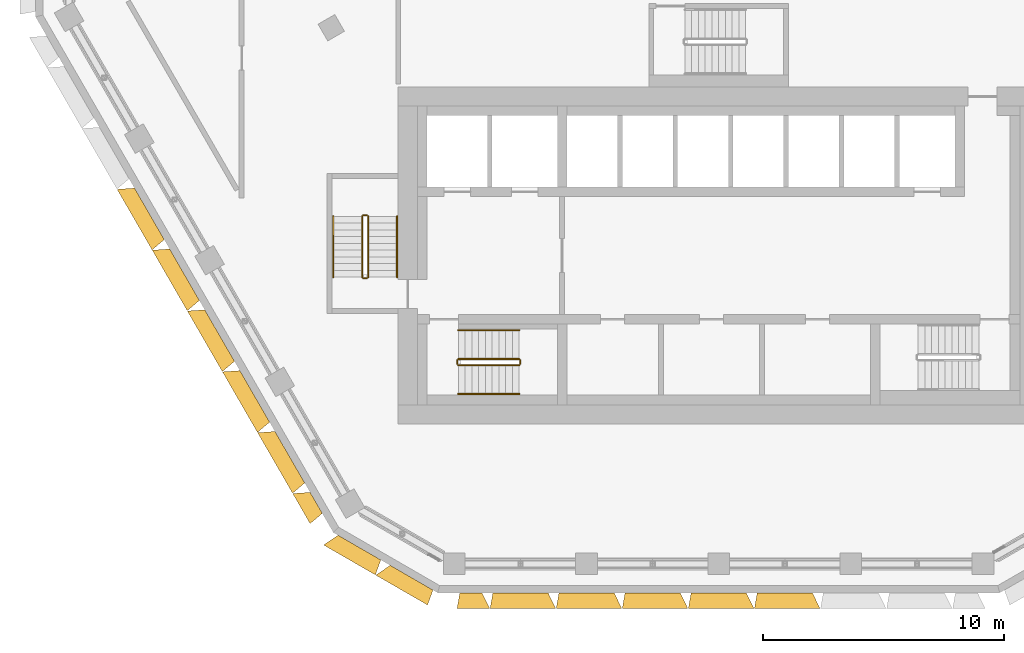
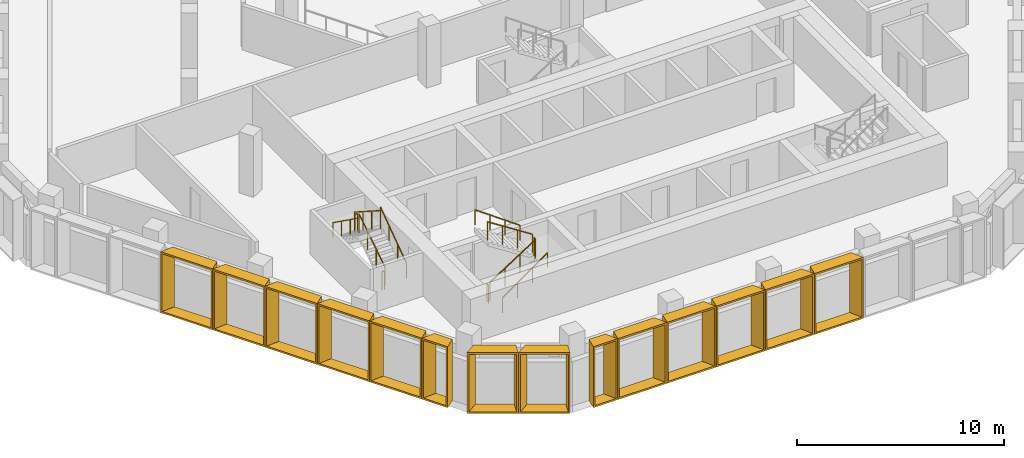
# One storey, part 19 of 22: 14 shading devices, 12 railings.
"""IFC4 building model written with IfcOpenShell, lengths in metres."""

from ifc_helpers import new_model, entity, si_unit, direction, frame, origin, origin_2d, place, context, subcontext, project, spatial, rectangle, extrude, source, transform, mapped, material, type_object, type_shapes, element, save


model = new_model("IFC4")

# Units and contexts
model_context = context("Model", 3, precision=1e-05, world=origin(), true_north=direction((0.0, 1.0)))
body_context = subcontext(model_context, "Body", "Model", "MODEL_VIEW")
ifc_project = project(units=[si_unit("LENGTHUNIT", "METRE"), si_unit("AREAUNIT", "SQUARE_METRE"), si_unit("VOLUMEUNIT", "CUBIC_METRE"), si_unit("PLANEANGLEUNIT", "RADIAN"), si_unit("MASSUNIT", "GRAM", prefix="KILO")], contexts=[model_context])

# Site, building, storey
site_placement = place(None, origin())
site = spatial("IfcSite", under=ifc_project, at=site_placement, CompositionType="ELEMENT")
building_placement = place(site_placement, origin())
building = spatial("IfcBuilding", under=site, at=building_placement, Name="Beryl Residences", CompositionType="ELEMENT")
storey_placement = place(building_placement, frame((0.0, 0.0, 153.60009765625)))
storey = spatial("IfcBuildingStorey", under=building, at=storey_placement, Name="L47", CompositionType="ELEMENT", Elevation=153.60009765625)

# Shading devices
ifc_material_1 = material(Name="Aluminium pale anodised", Category="aluminium")
shading_device_type_1 = type_object("IfcShadingDeviceType", Name="FR137-65C-H36 OUTER SKIN frame 650 mm deep, splay 10/26 deg, 1370 x 3600 mm cell", PredefinedType="USERDEFINED", material=ifc_material_1)
cartesian_point_1 = entity("IfcCartesianPoint", [-0.458984375, 0.0])
cartesian_point_2 = entity("IfcCartesianPoint", [-0.377685546875, 0.10009765625])
cartesian_point_3 = entity("IfcCartesianPoint", [-0.57373046875, 0.0])
cartesian_point_4 = entity("IfcCartesianPoint", [-0.492431640625, 0.10009765625])
shared_shape_1 = source(origin(), body_context, "Body", "SweptSolid", [
    entity("IfcExtrudedAreaSolidTapered", entity("IfcArbitraryProfileDefWithVoids", "AREA", None, entity("IfcPolyline", [cartesian_point_1, entity("IfcCartesianPoint", [0.458984375, 0.0]), entity("IfcCartesianPoint", [0.458984375, 3.60009765625]), entity("IfcCartesianPoint", [-0.458984375, 3.60009765625]), cartesian_point_1]), [entity("IfcPolyline", [cartesian_point_2, entity("IfcCartesianPoint", [0.369873046875, 0.10009765625]), entity("IfcCartesianPoint", [0.369873046875, 3.5]), entity("IfcCartesianPoint", [-0.377685546875, 3.5]), cartesian_point_2])]), entity("IfcAxis2Placement3D", entity("IfcCartesianPoint", [0.0, 0.0, 0.0]), entity("IfcDirection", [0.0, 1.0, 0.0]), entity("IfcDirection", [-1.0, 0.0, 0.0])), entity("IfcDirection", [0.0, 0.0, 1.0]), 0.64990234375, entity("IfcArbitraryProfileDefWithVoids", "AREA", None, entity("IfcPolyline", [cartesian_point_3, entity("IfcCartesianPoint", [0.776123046875, 0.0]), entity("IfcCartesianPoint", [0.776123046875, 3.60009765625]), entity("IfcCartesianPoint", [-0.57373046875, 3.60009765625]), cartesian_point_3]), [entity("IfcPolyline", [cartesian_point_4, entity("IfcCartesianPoint", [0.68701171875, 0.10009765625]), entity("IfcCartesianPoint", [0.68701171875, 3.5]), entity("IfcCartesianPoint", [-0.492431640625, 3.5]), cartesian_point_4])])),
])
type_shapes(shading_device_type_1, [shared_shape_1])
shading_device_1_placement = place(storey_placement, frame((-10.282958984375, -26.0, 0.0), z_axis=(0.0, 0.0, 1.0), x_axis=(-1.0, 0.0, 0.0)))
element("IfcShadingDevice", 1, at=shading_device_1_placement, inside=storey, type_object=shading_device_type_1, Name="FR137-65C-H36 frame L47 S 1", ObjectType="OUTER SKIN", PredefinedType="USERDEFINED", context=body_context, shape_type="MappedRepresentation", body=[
    mapped(shared_shape_1, transform((0.0, 0.0, 0.0))),
])
ifc_material_2 = material(Name="Aluminium pale anodised", Category="aluminium")
shading_device_type_2 = type_object("IfcShadingDeviceType", Name="FR146-65B-H36 OUTER SKIN frame 650 mm deep, splay 26/10 deg, 1460 x 3600 mm cell", PredefinedType="USERDEFINED", material=ifc_material_2)
cartesian_point_5 = entity("IfcCartesianPoint", [-0.50390625, 0.0])
cartesian_point_6 = entity("IfcCartesianPoint", [-0.4150390625, 0.10009765625])
cartesian_point_7 = entity("IfcCartesianPoint", [-0.821044921875, 0.0])
cartesian_point_8 = entity("IfcCartesianPoint", [-0.73193359375, 0.10009765625])
shared_shape_2 = source(origin(), body_context, "Body", "SweptSolid", [
    entity("IfcExtrudedAreaSolidTapered", entity("IfcArbitraryProfileDefWithVoids", "AREA", None, entity("IfcPolyline", [cartesian_point_5, entity("IfcCartesianPoint", [0.50390625, 0.0]), entity("IfcCartesianPoint", [0.50390625, 3.60009765625]), entity("IfcCartesianPoint", [-0.50390625, 3.60009765625]), cartesian_point_5]), [entity("IfcPolyline", [cartesian_point_6, entity("IfcCartesianPoint", [0.4228515625, 0.10009765625]), entity("IfcCartesianPoint", [0.4228515625, 3.5]), entity("IfcCartesianPoint", [-0.4150390625, 3.5]), cartesian_point_6])]), entity("IfcAxis2Placement3D", entity("IfcCartesianPoint", [0.0, 0.0, 0.0]), entity("IfcDirection", [0.0, 1.0, 0.0]), entity("IfcDirection", [-1.0, 0.0, 0.0])), entity("IfcDirection", [0.0, 0.0, 1.0]), 0.64990234375, entity("IfcArbitraryProfileDefWithVoids", "AREA", None, entity("IfcPolyline", [cartesian_point_7, entity("IfcCartesianPoint", [0.61865234375, 0.0]), entity("IfcCartesianPoint", [0.61865234375, 3.60009765625]), entity("IfcCartesianPoint", [-0.821044921875, 3.60009765625]), cartesian_point_7]), [entity("IfcPolyline", [cartesian_point_8, entity("IfcCartesianPoint", [0.537353515625, 0.10009765625]), entity("IfcCartesianPoint", [0.537353515625, 3.5]), entity("IfcCartesianPoint", [-0.73193359375, 3.5]), cartesian_point_8])])),
])
type_shapes(shading_device_type_2, [shared_shape_2])
shading_device_2_placement = place(storey_placement, frame((-16.7041015625, -22.26806640625, 0.0), z_axis=(0.0, 0.0, 1.0), x_axis=(-0.5, 0.866025403784, 0.0)))
element("IfcShadingDevice", 2, at=shading_device_2_placement, inside=storey, type_object=shading_device_type_2, Name="FR146-65B-H36 frame L47 SW 9", ObjectType="OUTER SKIN", PredefinedType="USERDEFINED", context=body_context, shape_type="MappedRepresentation", body=[
    mapped(shared_shape_2, transform((0.0, 0.0, 0.0))),
])
ifc_material_3 = material(Name="Aluminium pale anodised", Category="aluminium")
shading_device_type_3 = type_object("IfcShadingDeviceType", Name="FR250-65B-H36 OUTER SKIN frame 650 mm deep, splay 26/10 deg, 2500 x 3600 mm cell", PredefinedType="USERDEFINED", material=ifc_material_3)
cartesian_point_9 = entity("IfcCartesianPoint", [-1.02392578125, 0.0])
cartesian_point_10 = entity("IfcCartesianPoint", [-0.93505859375, 0.10009765625])
cartesian_point_11 = entity("IfcCartesianPoint", [-1.341064453125, 0.0])
cartesian_point_12 = entity("IfcCartesianPoint", [-1.251953125, 0.10009765625])
shared_shape_3 = source(origin(), body_context, "Body", "SweptSolid", [
    entity("IfcExtrudedAreaSolidTapered", entity("IfcArbitraryProfileDefWithVoids", "AREA", None, entity("IfcPolyline", [cartesian_point_9, entity("IfcCartesianPoint", [1.02392578125, 0.0]), entity("IfcCartesianPoint", [1.02392578125, 3.60009765625]), entity("IfcCartesianPoint", [-1.02392578125, 3.60009765625]), cartesian_point_9]), [entity("IfcPolyline", [cartesian_point_10, entity("IfcCartesianPoint", [0.94287109375, 0.10009765625]), entity("IfcCartesianPoint", [0.94287109375, 3.5]), entity("IfcCartesianPoint", [-0.93505859375, 3.5]), cartesian_point_10])]), entity("IfcAxis2Placement3D", entity("IfcCartesianPoint", [0.0, 0.0, 0.0]), entity("IfcDirection", [0.0, 1.0, 0.0]), entity("IfcDirection", [-1.0, 0.0, 0.0])), entity("IfcDirection", [0.0, 0.0, 1.0]), 0.64990234375, entity("IfcArbitraryProfileDefWithVoids", "AREA", None, entity("IfcPolyline", [cartesian_point_11, entity("IfcCartesianPoint", [1.138671875, 0.0]), entity("IfcCartesianPoint", [1.138671875, 3.60009765625]), entity("IfcCartesianPoint", [-1.341064453125, 3.60009765625]), cartesian_point_11]), [entity("IfcPolyline", [cartesian_point_12, entity("IfcCartesianPoint", [1.057373046875, 0.10009765625]), entity("IfcCartesianPoint", [1.057373046875, 3.5]), entity("IfcCartesianPoint", [-1.251953125, 3.5]), cartesian_point_12])])),
])
type_shapes(shading_device_type_3, [shared_shape_3])
for number, where, z_axis, x_axis, name in (
    (3, (-14.909912109375, -24.125, 0.0), (0.0, 0.0, 1.0), (-0.866025403784, 0.5, 0.0), "FR250-65B-H36 frame L47 SW-S 1"),
    (4, (-12.7451171875, -25.375, 0.0), (0.0, 0.0, 1.0), (-0.866025403784, 0.5, 0.0), "FR250-65B-H36 frame L47 SW-S 2"),
):
    element("IfcShadingDevice", number, at=place(storey_placement, frame(where, z_axis=z_axis, x_axis=x_axis)), inside=storey, type_object=shading_device_type_3, Name=name, ObjectType="OUTER SKIN", PredefinedType="USERDEFINED", context=body_context, shape_type="MappedRepresentation", body=[
        mapped(shared_shape_3, transform((0.0, 0.0, 0.0))),
    ])
ifc_material_4 = material(Name="Aluminium pale anodised", Category="aluminium")
shading_device_type_4 = type_object("IfcShadingDeviceType", Name="FR274-65C-H36 OUTER SKIN frame 650 mm deep, splay 10/26 deg, 2740 x 3600 mm cell", PredefinedType="USERDEFINED", material=ifc_material_4)
cartesian_point_13 = entity("IfcCartesianPoint", [-1.14404296875, 0.0])
cartesian_point_14 = entity("IfcCartesianPoint", [-1.062744140625, 0.10009765625])
cartesian_point_15 = entity("IfcCartesianPoint", [-1.258544921875, 0.0])
cartesian_point_16 = entity("IfcCartesianPoint", [-1.177490234375, 0.10009765625])
shared_shape_4 = source(origin(), body_context, "Body", "SweptSolid", [
    entity("IfcExtrudedAreaSolidTapered", entity("IfcArbitraryProfileDefWithVoids", "AREA", None, entity("IfcPolyline", [cartesian_point_13, entity("IfcCartesianPoint", [1.14404296875, 0.0]), entity("IfcCartesianPoint", [1.14404296875, 3.60009765625]), entity("IfcCartesianPoint", [-1.14404296875, 3.60009765625]), cartesian_point_13]), [entity("IfcPolyline", [cartesian_point_14, entity("IfcCartesianPoint", [1.054931640625, 0.10009765625]), entity("IfcCartesianPoint", [1.054931640625, 3.5]), entity("IfcCartesianPoint", [-1.062744140625, 3.5]), cartesian_point_14])]), entity("IfcAxis2Placement3D", entity("IfcCartesianPoint", [0.0, 0.0, 0.0]), entity("IfcDirection", [0.0, 1.0, 0.0]), entity("IfcDirection", [-1.0, 0.0, 0.0])), entity("IfcDirection", [0.0, 0.0, 1.0]), 0.64990234375, entity("IfcArbitraryProfileDefWithVoids", "AREA", None, entity("IfcPolyline", [cartesian_point_15, entity("IfcCartesianPoint", [1.4609375, 0.0]), entity("IfcCartesianPoint", [1.4609375, 3.60009765625]), entity("IfcCartesianPoint", [-1.258544921875, 3.60009765625]), cartesian_point_15]), [entity("IfcPolyline", [cartesian_point_16, entity("IfcCartesianPoint", [1.3720703125, 0.10009765625]), entity("IfcCartesianPoint", [1.3720703125, 3.5]), entity("IfcCartesianPoint", [-1.177490234375, 3.5]), cartesian_point_16])])),
])
type_shapes(shading_device_type_4, [shared_shape_4])
for number, where, z_axis, x_axis, name in (
    (5, (-8.22607421875, -26.0, 0.0), (0.0, 0.0, 1.0), (-1.0, 0.0, 0.0), "FR274-65C-H36 frame L47 S 2"),
    (6, (-5.48388671875, -26.0, 0.0), (0.0, 0.0, 1.0), (-1.0, 0.0, 0.0), "FR274-65C-H36 frame L47 S 3"),
    (7, (-2.741943359375, -26.0, 0.0), (0.0, 0.0, 1.0), (-1.0, 0.0, 0.0), "FR274-65C-H36 frame L47 S 4"),
    (8, (0.0009765625, -26.0, 0.0), (0.0, 0.0, 1.0), (-1.0, 0.0, 0.0), "FR274-65C-H36 frame L47 S 5"),
    (9, (2.743896484375, -26.0, 0.0), (0.0, 0.0, 1.0), (-1.0, 0.0, 0.0), "FR274-65C-H36 frame L47 S 6"),
):
    element("IfcShadingDevice", number, at=place(storey_placement, frame(where, z_axis=z_axis, x_axis=x_axis)), inside=storey, type_object=shading_device_type_4, Name=name, ObjectType="OUTER SKIN", PredefinedType="USERDEFINED", context=body_context, shape_type="MappedRepresentation", body=[
        mapped(shared_shape_4, transform((0.0, 0.0, 0.0))),
    ])
ifc_material_5 = material(Name="Aluminium pale anodised", Category="aluminium")
shading_device_type_5 = type_object("IfcShadingDeviceType", Name="FR292-65B-H36 OUTER SKIN frame 650 mm deep, splay 26/10 deg, 2920 x 3600 mm cell", PredefinedType="USERDEFINED", material=ifc_material_5)
cartesian_point_17 = entity("IfcCartesianPoint", [-1.23388671875, 0.0])
cartesian_point_18 = entity("IfcCartesianPoint", [-1.14501953125, 0.10009765625])
cartesian_point_19 = entity("IfcCartesianPoint", [-1.551025390625, 0.0])
cartesian_point_20 = entity("IfcCartesianPoint", [-1.4619140625, 0.10009765625])
shared_shape_5 = source(origin(), body_context, "Body", "SweptSolid", [
    entity("IfcExtrudedAreaSolidTapered", entity("IfcArbitraryProfileDefWithVoids", "AREA", None, entity("IfcPolyline", [cartesian_point_17, entity("IfcCartesianPoint", [1.23388671875, 0.0]), entity("IfcCartesianPoint", [1.23388671875, 3.60009765625]), entity("IfcCartesianPoint", [-1.23388671875, 3.60009765625]), cartesian_point_17]), [entity("IfcPolyline", [cartesian_point_18, entity("IfcCartesianPoint", [1.15283203125, 0.10009765625]), entity("IfcCartesianPoint", [1.15283203125, 3.5]), entity("IfcCartesianPoint", [-1.14501953125, 3.5]), cartesian_point_18])]), entity("IfcAxis2Placement3D", entity("IfcCartesianPoint", [0.0, 0.0, 0.0]), entity("IfcDirection", [0.0, 1.0, 0.0]), entity("IfcDirection", [-1.0, 0.0, 0.0])), entity("IfcDirection", [0.0, 0.0, 1.0]), 0.64990234375, entity("IfcArbitraryProfileDefWithVoids", "AREA", None, entity("IfcPolyline", [cartesian_point_19, entity("IfcCartesianPoint", [1.3486328125, 0.0]), entity("IfcCartesianPoint", [1.3486328125, 3.60009765625]), entity("IfcCartesianPoint", [-1.551025390625, 3.60009765625]), cartesian_point_19]), [entity("IfcPolyline", [cartesian_point_20, entity("IfcCartesianPoint", [1.267333984375, 0.10009765625]), entity("IfcCartesianPoint", [1.267333984375, 3.5]), entity("IfcCartesianPoint", [-1.4619140625, 3.5]), cartesian_point_20])])),
])
type_shapes(shading_device_type_5, [shared_shape_5])
for number, where, z_axis, x_axis, name in (
    (10, (-23.6279296875, -10.27392578125, 0.0), (0.0, 0.0, 1.0), (-0.5, 0.866025403784, 0.0), "FR292-65B-H36 frame L47 SW 4"),
    (11, (-22.169921875, -12.799072265625, 0.0), (0.0, 0.0, 1.0), (-0.5, 0.866025403784, 0.0), "FR292-65B-H36 frame L47 SW 5"),
    (12, (-20.712890625, -15.323974609375, 0.0), (0.0, 0.0, 1.0), (-0.5, 0.866025403784, 0.0), "FR292-65B-H36 frame L47 SW 6"),
    (13, (-19.2548828125, -17.84912109375, 0.0), (0.0, 0.0, 1.0), (-0.5, 0.866025403784, 0.0), "FR292-65B-H36 frame L47 SW 7"),
    (14, (-17.797119140625, -20.3740234375, 0.0), (0.0, 0.0, 1.0), (-0.5, 0.866025403784, 0.0), "FR292-65B-H36 frame L47 SW 8"),
):
    element("IfcShadingDevice", number, at=place(storey_placement, frame(where, z_axis=z_axis, x_axis=x_axis)), inside=storey, type_object=shading_device_type_5, Name=name, ObjectType="OUTER SKIN", PredefinedType="USERDEFINED", context=body_context, shape_type="MappedRepresentation", body=[
        mapped(shared_shape_5, transform((0.0, 0.0, 0.0))),
    ])

# Railings
ifc_material_6 = material(Name="Stainless steel balustrade with glass infill", Category="steel")
railing_type_1 = type_object("IfcRailingType", Name="SG1 stair guard 1100 mm", PredefinedType="GUARDRAIL", material=ifc_material_6)
railing_1_placement = place(storey_placement, frame((-10.800048828125, -16.550048828125, 0.179931640625)))
element("IfcRailing", 15, at=railing_1_placement, inside=storey, type_object=railing_type_1, Name="L47 ST-1 stair guard 1", PredefinedType="GUARDRAIL", context=body_context, shape_type="SweptSolid", body=[
    extrude(rectangle(XDim=0.048095703125, YDim=0.048095703125, at=origin_2d()), frame((0.0, 0.0, 1.076171875), z_axis=(0.841199657755, 0.0, 0.540724639528), x_axis=(0.0, 1.0, 0.0)), (0.0, 0.0, 1.0), 2.995849609375),
    extrude(rectangle(XDim=0.0419921875, YDim=0.0419921875, at=origin_2d()), origin(), (0.0, 0.0, 1.0), 1.052001953125),
    extrude(rectangle(XDim=0.0419921875, YDim=0.0419921875, at=origin_2d()), frame((0.840087890625, 0.0, 0.5400390625)), (0.0, 0.0, 1.0), 1.052001953125),
    extrude(rectangle(XDim=0.0419921875, YDim=0.0419921875, at=origin_2d()), frame((1.679931640625, 0.0, 1.079833984375)), (0.0, 0.0, 1.0), 1.052001953125),
    extrude(rectangle(XDim=0.0419921875, YDim=0.0419921875, at=origin_2d()), frame((2.52001953125, 0.0, 1.619873046875)), (0.0, 0.0, 1.0), 1.052001953125),
])
railing_2_placement = place(storey_placement, frame((-8.22998046875, -16.5, 1.7998046875)))
element("IfcRailing", 16, at=railing_2_placement, inside=storey, type_object=railing_type_1, Name="L47 ST-1 stair guard 2", PredefinedType="GUARDRAIL", context=body_context, shape_type="SweptSolid", body=[
    extrude(rectangle(XDim=0.048095703125, YDim=0.048095703125, at=origin_2d()), frame((0.0, 0.0, 1.076171875), z_axis=(0.0, 1.0, 0.0), x_axis=(-1.0, 0.0, 0.0)), (0.0, 0.0, 1.0), 0.14990234375),
    extrude(rectangle(XDim=0.0419921875, YDim=0.0419921875, at=origin_2d()), origin(), (0.0, 0.0, 1.0), 1.052001953125),
    extrude(rectangle(XDim=0.0419921875, YDim=0.0419921875, at=origin_2d()), frame((0.0, 0.14990234375, 0.0)), (0.0, 0.0, 1.0), 1.052001953125),
])
railing_3_placement = place(storey_placement, frame((-8.280029296875, -16.300048828125, 1.97998046875)))
element("IfcRailing", 17, at=railing_3_placement, inside=storey, type_object=railing_type_1, Name="L47 ST-1 stair guard 3", PredefinedType="GUARDRAIL", context=body_context, shape_type="SweptSolid", body=[
    extrude(rectangle(XDim=0.048095703125, YDim=0.048095703125, at=origin_2d()), frame((0.0, 0.0, 1.076171875), z_axis=(-0.841199657755, 0.0, 0.540724639528), x_axis=(0.0, -1.0, 0.0)), (0.0, 0.0, 1.0), 2.995849609375),
    extrude(rectangle(XDim=0.0419921875, YDim=0.0419921875, at=origin_2d()), origin(), (0.0, 0.0, 1.0), 1.052001953125),
    extrude(rectangle(XDim=0.0419921875, YDim=0.0419921875, at=origin_2d()), frame((-0.840087890625, 0.0, 0.5400390625)), (0.0, 0.0, 1.0), 1.052001953125),
    extrude(rectangle(XDim=0.0419921875, YDim=0.0419921875, at=origin_2d()), frame((-1.679931640625, 0.0, 1.079833984375)), (0.0, 0.0, 1.0), 1.052001953125),
    extrude(rectangle(XDim=0.0419921875, YDim=0.0419921875, at=origin_2d()), frame((-2.52001953125, 0.0, 1.619873046875)), (0.0, 0.0, 1.0), 1.052001953125),
])
railing_4_placement = place(storey_placement, frame((-10.85009765625, -16.5, 0.0)))
element("IfcRailing", 18, at=railing_4_placement, inside=storey, type_object=railing_type_1, Name="L47 ST-1 stair guard 4", PredefinedType="GUARDRAIL", context=body_context, shape_type="SweptSolid", body=[
    extrude(rectangle(XDim=0.048095703125, YDim=0.048095703125, at=origin_2d()), frame((0.0, 0.0, 1.076171875), z_axis=(0.0, 1.0, 0.0), x_axis=(-1.0, 0.0, 0.0)), (0.0, 0.0, 1.0), 0.14990234375),
    extrude(rectangle(XDim=0.0419921875, YDim=0.0419921875, at=origin_2d()), origin(), (0.0, 0.0, 1.0), 1.052001953125),
    extrude(rectangle(XDim=0.0419921875, YDim=0.0419921875, at=origin_2d()), frame((0.0, 0.14990234375, 0.0)), (0.0, 0.0, 1.0), 1.052001953125),
])
railing_5_placement = place(storey_placement, frame((-14.550048828125, -12.89990234375, 0.179931640625)))
element("IfcRailing", 19, at=railing_5_placement, inside=storey, type_object=railing_type_1, Name="L47 ST-2 stair guard 1", PredefinedType="GUARDRAIL", context=body_context, shape_type="SweptSolid", body=[
    extrude(rectangle(XDim=0.048095703125, YDim=0.048095703125, at=origin_2d()), frame((0.0, 0.0, 1.076171875), z_axis=(0.0, 0.841199657755, 0.540724639528), x_axis=(-1.0, 0.0, 0.0)), (0.0, 0.0, 1.0), 2.995849609375),
    extrude(rectangle(XDim=0.0419921875, YDim=0.0419921875, at=origin_2d()), origin(), (0.0, 0.0, 1.0), 1.052001953125),
    extrude(rectangle(XDim=0.0419921875, YDim=0.0419921875, at=origin_2d()), frame((0.0, 0.840087890625, 0.5400390625)), (0.0, 0.0, 1.0), 1.052001953125),
    extrude(rectangle(XDim=0.0419921875, YDim=0.0419921875, at=origin_2d()), frame((0.0, 1.679931640625, 1.079833984375)), (0.0, 0.0, 1.0), 1.052001953125),
    extrude(rectangle(XDim=0.0419921875, YDim=0.0419921875, at=origin_2d()), frame((0.0, 2.52001953125, 1.619873046875)), (0.0, 0.0, 1.0), 1.052001953125),
])
railing_6_placement = place(storey_placement, frame((-14.60009765625, -10.330078125, 1.7998046875)))
element("IfcRailing", 20, at=railing_6_placement, inside=storey, type_object=railing_type_1, Name="L47 ST-2 stair guard 2", PredefinedType="GUARDRAIL", context=body_context, shape_type="SweptSolid", body=[
    extrude(rectangle(XDim=0.048095703125, YDim=0.048095703125, at=origin_2d()), frame((0.0, 0.0, 1.076171875), z_axis=(-1.0, 0.0, 0.0), x_axis=(0.0, -1.0, 0.0)), (0.0, 0.0, 1.0), 0.14990234375),
    extrude(rectangle(XDim=0.0419921875, YDim=0.0419921875, at=origin_2d()), origin(), (0.0, 0.0, 1.0), 1.052001953125),
    extrude(rectangle(XDim=0.0419921875, YDim=0.0419921875, at=origin_2d()), frame((-0.14990234375, 0.0, 0.0)), (0.0, 0.0, 1.0), 1.052001953125),
])
railing_7_placement = place(storey_placement, frame((-14.800048828125, -10.3798828125, 1.97998046875)))
element("IfcRailing", 21, at=railing_7_placement, inside=storey, type_object=railing_type_1, Name="L47 ST-2 stair guard 3", PredefinedType="GUARDRAIL", context=body_context, shape_type="SweptSolid", body=[
    extrude(rectangle(XDim=0.048095703125, YDim=0.048095703125, at=origin_2d()), frame((0.0, 0.0, 1.076171875), z_axis=(0.0, -0.841199657755, 0.540724639528), x_axis=(1.0, 0.0, 0.0)), (0.0, 0.0, 1.0), 2.995849609375),
    extrude(rectangle(XDim=0.0419921875, YDim=0.0419921875, at=origin_2d()), origin(), (0.0, 0.0, 1.0), 1.052001953125),
    extrude(rectangle(XDim=0.0419921875, YDim=0.0419921875, at=origin_2d()), frame((0.0, -0.840087890625, 0.5400390625)), (0.0, 0.0, 1.0), 1.052001953125),
    extrude(rectangle(XDim=0.0419921875, YDim=0.0419921875, at=origin_2d()), frame((0.0, -1.679931640625, 1.079833984375)), (0.0, 0.0, 1.0), 1.052001953125),
    extrude(rectangle(XDim=0.0419921875, YDim=0.0419921875, at=origin_2d()), frame((0.0, -2.52001953125, 1.619873046875)), (0.0, 0.0, 1.0), 1.052001953125),
])
railing_8_placement = place(storey_placement, frame((-14.60009765625, -12.949951171875, 0.0)))
element("IfcRailing", 22, at=railing_8_placement, inside=storey, type_object=railing_type_1, Name="L47 ST-2 stair guard 4", PredefinedType="GUARDRAIL", context=body_context, shape_type="SweptSolid", body=[
    extrude(rectangle(XDim=0.048095703125, YDim=0.048095703125, at=origin_2d()), frame((0.0, 0.0, 1.076171875), z_axis=(-1.0, 0.0, 0.0), x_axis=(0.0, -1.0, 0.0)), (0.0, 0.0, 1.0), 0.14990234375),
    extrude(rectangle(XDim=0.0419921875, YDim=0.0419921875, at=origin_2d()), origin(), (0.0, 0.0, 1.0), 1.052001953125),
    extrude(rectangle(XDim=0.0419921875, YDim=0.0419921875, at=origin_2d()), frame((-0.14990234375, 0.0, 0.0)), (0.0, 0.0, 1.0), 1.052001953125),
])
ifc_material_7 = material(Name="Stainless steel handrail", Category="steel")
railing_type_2 = type_object("IfcRailingType", Name="SRL1 stair handrail 900 mm", PredefinedType="HANDRAIL", material=ifc_material_7)
railing_9_placement = place(storey_placement, frame((-10.800048828125, -17.75, 0.179931640625)))
element("IfcRailing", 23, at=railing_9_placement, inside=storey, type_object=railing_type_2, Name="L47 ST-1 stair handrail 1", PredefinedType="HANDRAIL", context=body_context, shape_type="SweptSolid", body=[
    extrude(rectangle(XDim=0.048095703125, YDim=0.048095703125, at=origin_2d()), frame((0.0, 0.0, 0.8759765625), z_axis=(0.813728144527, 0.0, 0.581245650998), x_axis=(0.0, 1.0, 0.0)), (0.0, 0.0, 1.0), 3.096923828125),
    extrude(rectangle(XDim=0.0419921875, YDim=0.0419921875, at=origin_2d()), origin(), (0.0, 0.0, 1.0), 0.851806640625),
    extrude(rectangle(XDim=0.0419921875, YDim=0.0419921875, at=origin_2d()), frame((0.840087890625, 0.0, 0.60009765625)), (0.0, 0.0, 1.0), 0.851806640625),
    extrude(rectangle(XDim=0.0419921875, YDim=0.0419921875, at=origin_2d()), frame((1.679931640625, 0.0, 1.199951171875)), (0.0, 0.0, 1.0), 0.851806640625),
    extrude(rectangle(XDim=0.0419921875, YDim=0.0419921875, at=origin_2d()), frame((2.52001953125, 0.0, 1.800048828125)), (0.0, 0.0, 1.0), 0.851806640625),
])
railing_10_placement = place(storey_placement, frame((-8.280029296875, -15.10009765625, 1.97998046875)))
element("IfcRailing", 24, at=railing_10_placement, inside=storey, type_object=railing_type_2, Name="L47 ST-1 stair handrail 2", PredefinedType="HANDRAIL", context=body_context, shape_type="SweptSolid", body=[
    extrude(rectangle(XDim=0.048095703125, YDim=0.048095703125, at=origin_2d()), frame((0.0, 0.0, 0.8759765625), z_axis=(-0.813765431312, 0.0, 0.581193446971), x_axis=(0.0, -1.0, 0.0)), (0.0, 0.0, 1.0), 3.0966796875),
    extrude(rectangle(XDim=0.0419921875, YDim=0.0419921875, at=origin_2d()), origin(), (0.0, 0.0, 1.0), 0.851806640625),
    extrude(rectangle(XDim=0.0419921875, YDim=0.0419921875, at=origin_2d()), frame((-0.840087890625, 0.0, 0.599853515625)), (0.0, 0.0, 1.0), 0.851806640625),
    extrude(rectangle(XDim=0.0419921875, YDim=0.0419921875, at=origin_2d()), frame((-1.679931640625, 0.0, 1.199951171875)), (0.0, 0.0, 1.0), 0.851806640625),
    extrude(rectangle(XDim=0.0419921875, YDim=0.0419921875, at=origin_2d()), frame((-2.52001953125, 0.0, 1.7998046875)), (0.0, 0.0, 1.0), 0.851806640625),
])
railing_11_placement = place(storey_placement, frame((-13.35009765625, -12.89990234375, 0.179931640625)))
element("IfcRailing", 25, at=railing_11_placement, inside=storey, type_object=railing_type_2, Name="L47 ST-2 stair handrail 1", PredefinedType="HANDRAIL", context=body_context, shape_type="SweptSolid", body=[
    extrude(rectangle(XDim=0.048095703125, YDim=0.048095703125, at=origin_2d()), frame((0.0, 0.0, 0.8759765625), z_axis=(0.0, 0.813728144527, 0.581245650998), x_axis=(-1.0, 0.0, 0.0)), (0.0, 0.0, 1.0), 3.096923828125),
    extrude(rectangle(XDim=0.0419921875, YDim=0.0419921875, at=origin_2d()), origin(), (0.0, 0.0, 1.0), 0.851806640625),
    extrude(rectangle(XDim=0.0419921875, YDim=0.0419921875, at=origin_2d()), frame((0.0, 0.840087890625, 0.60009765625)), (0.0, 0.0, 1.0), 0.851806640625),
    extrude(rectangle(XDim=0.0419921875, YDim=0.0419921875, at=origin_2d()), frame((0.0, 1.679931640625, 1.199951171875)), (0.0, 0.0, 1.0), 0.851806640625),
    extrude(rectangle(XDim=0.0419921875, YDim=0.0419921875, at=origin_2d()), frame((0.0, 2.52001953125, 1.800048828125)), (0.0, 0.0, 1.0), 0.851806640625),
])
railing_12_placement = place(storey_placement, frame((-16.0, -10.3798828125, 1.97998046875)))
element("IfcRailing", 26, at=railing_12_placement, inside=storey, type_object=railing_type_2, Name="L47 ST-2 stair handrail 2", PredefinedType="HANDRAIL", context=body_context, shape_type="SweptSolid", body=[
    extrude(rectangle(XDim=0.048095703125, YDim=0.048095703125, at=origin_2d()), frame((0.0, 0.0, 0.8759765625), z_axis=(0.0, -0.813765431312, 0.581193446971), x_axis=(1.0, 0.0, 0.0)), (0.0, 0.0, 1.0), 3.0966796875),
    extrude(rectangle(XDim=0.0419921875, YDim=0.0419921875, at=origin_2d()), origin(), (0.0, 0.0, 1.0), 0.851806640625),
    extrude(rectangle(XDim=0.0419921875, YDim=0.0419921875, at=origin_2d()), frame((0.0, -0.840087890625, 0.599853515625)), (0.0, 0.0, 1.0), 0.851806640625),
    extrude(rectangle(XDim=0.0419921875, YDim=0.0419921875, at=origin_2d()), frame((0.0, -1.679931640625, 1.199951171875)), (0.0, 0.0, 1.0), 0.851806640625),
    extrude(rectangle(XDim=0.0419921875, YDim=0.0419921875, at=origin_2d()), frame((0.0, -2.52001953125, 1.7998046875)), (0.0, 0.0, 1.0), 0.851806640625),
])

save(model, "model.ifc")
